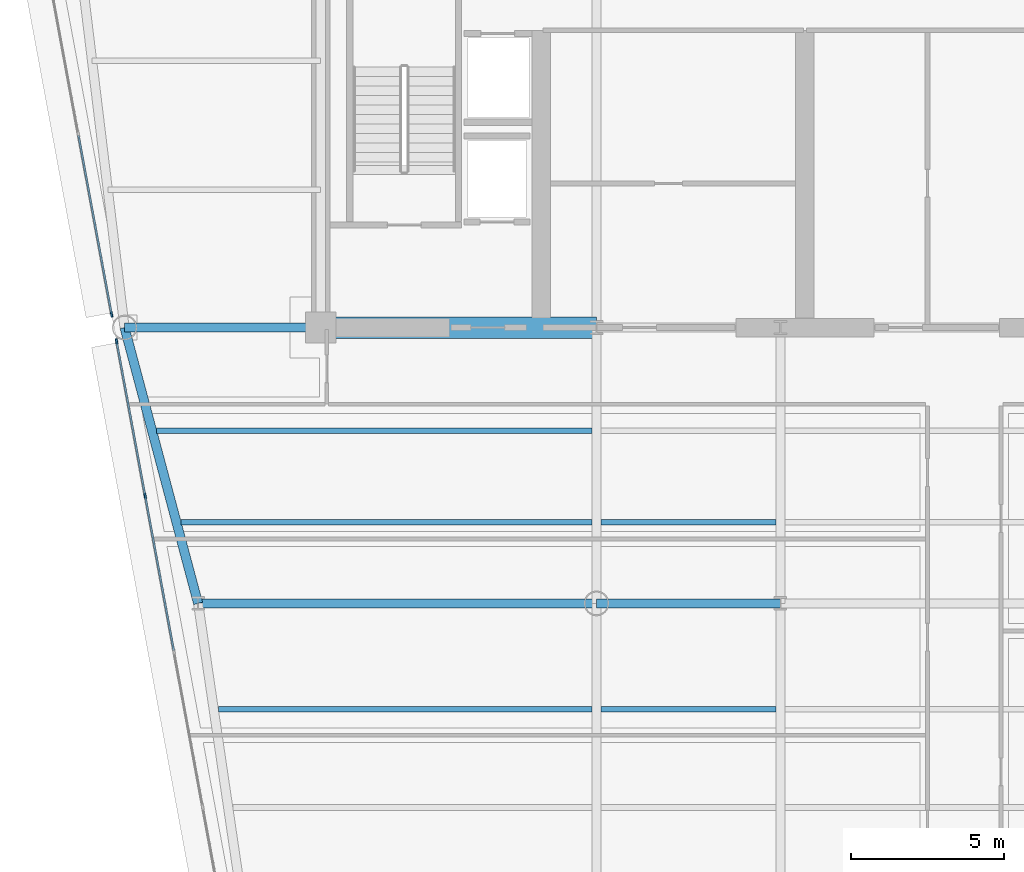
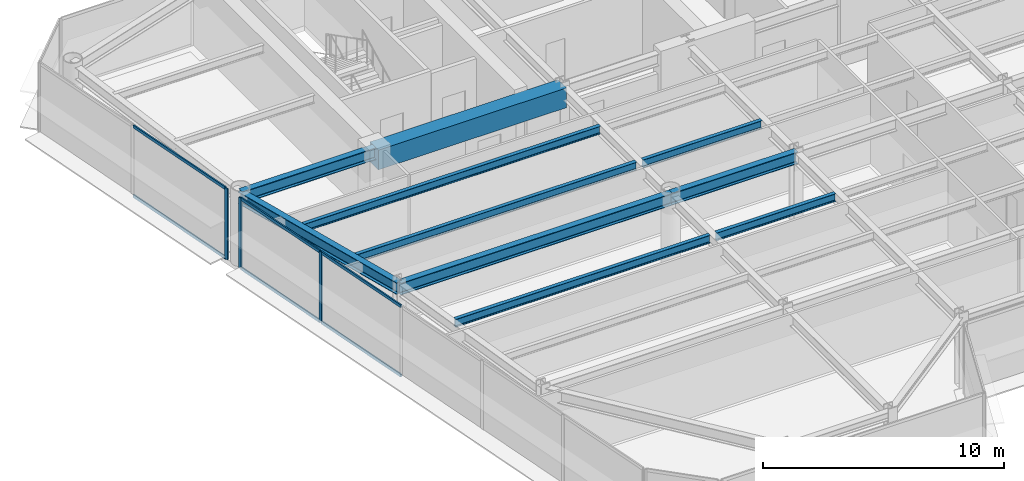
# One storey, part 4 of 16: 10 beams, 9 members, 2 elements without a shape of their own.
"""IFC4 building model written with IfcOpenShell, lengths in metres."""

from ifc_helpers import new_model, si_unit, direction, frame, origin, origin_2d, place, context, subcontext, project, spatial, rectangle, i_section, extrude, source, transform, mapped, material, layer, layer_set, material_profile, profile_set, type_object, element, aggregate, save


model = new_model("IFC4")

# Units and contexts
model_context = context("Model", 3, precision=1e-05, world=origin(), true_north=direction((0.0, 1.0)))
body_context = subcontext(model_context, "Body", "Model", "MODEL_VIEW")
ifc_project = project(units=[si_unit("LENGTHUNIT", "METRE"), si_unit("AREAUNIT", "SQUARE_METRE"), si_unit("VOLUMEUNIT", "CUBIC_METRE"), si_unit("PLANEANGLEUNIT", "RADIAN"), si_unit("MASSUNIT", "GRAM", prefix="KILO")], contexts=[model_context])

# Site, building, storey
site_placement = place(None, origin())
site = spatial("IfcSite", under=ifc_project, at=site_placement, CompositionType="ELEMENT")
building_placement = place(site_placement, origin())
building = spatial("IfcBuilding", under=site, at=building_placement, Name="Vaeldorn Concourse Tower", CompositionType="ELEMENT")
storey_placement = place(building_placement, frame((0.0, 0.0, 223.199951171875)))
storey = spatial("IfcBuildingStorey", under=building, at=storey_placement, Name="L57", CompositionType="ELEMENT", Elevation=223.199951171875)

# Beams
ifc_material_1 = material(Name="Concrete C50/60", Category="concrete")
ifc_material_profile_1 = material_profile(ifc_material_1, rectangle(XDim=0.699951171875, YDim=1.0, at=origin_2d()), Name="RC 700x1000")
ifc_profile_set_1 = profile_set([ifc_material_profile_1], Name="Concrete C50/60")
beam_type_1 = type_object("IfcBeamType", Name="BM-CB-RC700", PredefinedType="BEAM", material=ifc_profile_set_1)
shared_shape_1 = source(origin(), body_context, "Body", "SweptSolid", [
    extrude(rectangle(XDim=0.699951171875, YDim=1.0, at=origin_2d()), origin(), (0.0, 0.0, 1.0), 9.0),
])
beam_1_placement = place(storey_placement, frame((14.0, 36.5, 3.080078125), z_axis=(1.0, 0.0, 0.0), x_axis=(0.0, 1.0, 0.0)))
element("IfcBeam", 1, at=beam_1_placement, inside=storey, type_object=beam_type_1, Name="Core Coupling Beam L57-1", PredefinedType="BEAM", context=body_context, shape_type="MappedRepresentation", body=[
    mapped(shared_shape_1, transform((0.0, 0.0, 0.0), scale=1.0)),
])
ifc_material_2 = material(Name="Steel S355", Category="steel")
ifc_material_profile_2 = material_profile(ifc_material_2, i_section(OverallWidth=0.300048828125, OverallDepth=0.60009765625, WebThickness=0.015380859375, FlangeThickness=0.030029296875, FilletRadius=0.027099609375, at=origin_2d()), Name="HEB 600")
ifc_profile_set_2 = profile_set([ifc_material_profile_2], Name="Steel S355")
beam_type_2 = type_object("IfcBeamType", Name="BM-PG-HEB600", PredefinedType="BEAM", material=ifc_profile_set_2)
shared_shape_2 = source(origin(), body_context, "Body", "SweptSolid", [
    extrude(i_section(OverallWidth=0.300048828125, OverallDepth=0.60009765625, WebThickness=0.015380859375, FlangeThickness=0.030029296875, FilletRadius=0.027099609375, at=origin_2d()), origin(), (0.0, 0.0, 1.0), 6.0),
])
beam_2_placement = place(storey_placement, frame((23.0, 27.5, 3.280029296875), z_axis=(1.0, 0.0, 0.0), x_axis=(0.0, 1.0, 0.0)))
element("IfcBeam", 2, at=beam_2_placement, inside=storey, type_object=beam_type_2, Name="Beam BM-L57-C-TW1-C-TW2", PredefinedType="BEAM", context=body_context, shape_type="MappedRepresentation", body=[
    mapped(shared_shape_2, transform((0.0, 0.0, 0.0), scale=1.0)),
])
shared_shape_3 = source(origin(), body_context, "Body", "SweptSolid", [
    extrude(i_section(OverallWidth=0.300048828125, OverallDepth=0.60009765625, WebThickness=0.015380859375, FlangeThickness=0.030029296875, FilletRadius=0.027099609375, at=origin_2d()), origin(), (0.0, 0.0, 1.0), 6.39990234375),
])
beam_3_placement = place(storey_placement, frame((7.60009765625, 36.5, 3.280029296875), z_axis=(1.0, 0.0, 0.0), x_axis=(0.0, 1.0, 0.0)))
element("IfcBeam", 3, at=beam_3_placement, inside=storey, type_object=beam_type_2, Name="Beam BM-L57-C-NW2-C-FC1", PredefinedType="BEAM", context=body_context, shape_type="MappedRepresentation", body=[
    mapped(shared_shape_3, transform((0.0, 0.0, 0.0), scale=1.0)),
])
shared_shape_4 = source(origin(), body_context, "Body", "SweptSolid", [
    extrude(i_section(OverallWidth=0.300048828125, OverallDepth=0.60009765625, WebThickness=0.015380859375, FlangeThickness=0.030029296875, FilletRadius=0.027099609375, at=origin_2d()), origin(), (0.0, 0.0, 1.0), 9.314453125),
])
beam_4_placement = place(storey_placement, frame((7.60009765625, 36.5, 3.280029296875), z_axis=(0.257652862255, -0.966237549763, 0.0), x_axis=(0.966237549763, 0.257652862255, 0.0)))
element("IfcBeam", 4, at=beam_4_placement, inside=storey, type_object=beam_type_2, Name="Beam BM-L57-C-NW2-C-FLW1", PredefinedType="BEAM", context=body_context, shape_type="MappedRepresentation", body=[
    mapped(shared_shape_4, transform((0.0, 0.0, 0.0), scale=1.0)),
])
shared_shape_5 = source(origin(), body_context, "Body", "SweptSolid", [
    extrude(i_section(OverallWidth=0.300048828125, OverallDepth=0.60009765625, WebThickness=0.015380859375, FlangeThickness=0.030029296875, FilletRadius=0.027099609375, at=origin_2d()), origin(), (0.0, 0.0, 1.0), 13.0),
])
beam_5_placement = place(storey_placement, frame((10.0, 27.5, 3.280029296875), z_axis=(1.0, 0.0, 0.0), x_axis=(0.0, 1.0, 0.0)))
element("IfcBeam", 5, at=beam_5_placement, inside=storey, type_object=beam_type_2, Name="Beam BM-L57-C-FLW1-C-TW1", PredefinedType="BEAM", context=body_context, shape_type="MappedRepresentation", body=[
    mapped(shared_shape_5, transform((0.0, 0.0, 0.0), scale=1.0)),
])
ifc_material_profile_3 = material_profile(ifc_material_2, i_section(OverallWidth=0.179931640625, OverallDepth=0.39990234375, WebThickness=0.008544921875, FlangeThickness=0.013427734375, FilletRadius=0.02099609375, at=origin_2d()), Name="IPE 400")
ifc_profile_set_3 = profile_set([ifc_material_profile_3], Name="Steel S355")
beam_type_3 = type_object("IfcBeamType", Name="BM-JS-IPE400", PredefinedType="JOIST", material=ifc_profile_set_3)
shared_shape_6 = source(origin(), body_context, "Body", "SweptSolid", [
    extrude(i_section(OverallWidth=0.179931640625, OverallDepth=0.39990234375, WebThickness=0.008544921875, FlangeThickness=0.013427734375, FilletRadius=0.02099609375, at=origin_2d()), origin(), (0.0, 0.0, 1.0), 5.7001953125),
])
for number, where, z_axis, x_axis, name in (
    (6, (23.14990234375, 24.0400390625, 3.380126953125), (1.0, 0.0, 0.0), (0.0, 1.0, 0.0), "Beam JS-L57-W2-240"),
    (7, (23.14990234375, 30.139892578125, 3.380126953125), (1.0, 0.0, 0.0), (0.0, 1.0, 0.0), "Beam JS-L57-W2-301"),
):
    element("IfcBeam", number, at=place(storey_placement, frame(where, z_axis=z_axis, x_axis=x_axis)), inside=storey, type_object=beam_type_3, Name=name, PredefinedType="JOIST", context=body_context, shape_type="MappedRepresentation", body=[
        mapped(shared_shape_6, transform((0.0, 0.0, 0.0), scale=1.0)),
    ])
shared_shape_7 = source(origin(), body_context, "Body", "SweptSolid", [
    extrude(i_section(OverallWidth=0.179931640625, OverallDepth=0.39990234375, WebThickness=0.008544921875, FlangeThickness=0.013427734375, FilletRadius=0.02099609375, at=origin_2d()), origin(), (0.0, 0.0, 1.0), 12.190185546875),
])
beam_6_placement = place(storey_placement, frame((10.659912109375, 24.0400390625, 3.380126953125), z_axis=(1.0, 0.0, 0.0), x_axis=(0.0, 1.0, 0.0)))
element("IfcBeam", 8, at=beam_6_placement, inside=storey, type_object=beam_type_3, Name="Beam JS-L57-W1-240", PredefinedType="JOIST", context=body_context, shape_type="MappedRepresentation", body=[
    mapped(shared_shape_7, transform((0.0, 0.0, 0.0), scale=1.0)),
])
shared_shape_8 = source(origin(), body_context, "Body", "SweptSolid", [
    extrude(i_section(OverallWidth=0.179931640625, OverallDepth=0.39990234375, WebThickness=0.008544921875, FlangeThickness=0.013427734375, FilletRadius=0.02099609375, at=origin_2d()), origin(), (0.0, 0.0, 1.0), 13.404052734375),
])
beam_7_placement = place(storey_placement, frame((9.446044921875, 30.139892578125, 3.380126953125), z_axis=(1.0, 0.0, 0.0), x_axis=(0.0, 1.0, 0.0)))
element("IfcBeam", 9, at=beam_7_placement, inside=storey, type_object=beam_type_3, Name="Beam JS-L57-W1-301", PredefinedType="JOIST", context=body_context, shape_type="MappedRepresentation", body=[
    mapped(shared_shape_8, transform((0.0, 0.0, 0.0), scale=1.0)),
])
shared_shape_9 = source(origin(), body_context, "Body", "SweptSolid", [
    extrude(i_section(OverallWidth=0.179931640625, OverallDepth=0.39990234375, WebThickness=0.008544921875, FlangeThickness=0.013427734375, FilletRadius=0.02099609375, at=origin_2d()), origin(), (0.0, 0.0, 1.0), 14.2041015625),
])
beam_8_placement = place(storey_placement, frame((8.64599609375, 33.139892578125, 3.380126953125), z_axis=(1.0, 0.0, 0.0), x_axis=(0.0, 1.0, 0.0)))
element("IfcBeam", 10, at=beam_8_placement, inside=storey, type_object=beam_type_3, Name="Beam JS-L57-W1-331", PredefinedType="JOIST", context=body_context, shape_type="MappedRepresentation", body=[
    mapped(shared_shape_9, transform((0.0, 0.0, 0.0), scale=1.0)),
])

# Curtain wall, member
ifc_material_3 = material(Name="Anodised Bronze Aluminium", Category="aluminium")
ifc_layer = layer(ifc_material_3, 0.179931640625)
ifc_layer_set = layer_set([ifc_layer], Name="Anodised Bronze Aluminium")
curtain_wall_type = type_object("IfcCurtainWallType", Name="CW-SYS-05", PredefinedType="NOTDEFINED", material=ifc_layer_set)
curtain_wall_1_placement = place(storey_placement, origin())
curtain_wall_1 = element("IfcCurtainWall", 11, at=curtain_wall_1_placement, inside=storey, type_object=curtain_wall_type, Name="Unitised Curtain Wall CW-L57-E11-1", PredefinedType="NOTDEFINED")
ifc_material_profile_4 = material_profile(ifc_material_3, rectangle(XDim=0.06494140625, YDim=0.169921875, at=origin_2d()), Name="CWM 65x170")
ifc_profile_set_4 = profile_set([ifc_material_profile_4], Name="Anodised Bronze Aluminium")
member_type_1 = type_object("IfcMemberType", Name="CWM-BRONZE-170", PredefinedType="MULLION", material=ifc_profile_set_4)
shared_shape_10 = source(origin(), body_context, "Body", "SweptSolid", [
    extrude(rectangle(XDim=0.06494140625, YDim=0.169921875, at=origin_2d()), origin(), (0.0, 0.0, 1.0), 3.580078125),
])
member_1_placement = place(storey_placement, frame((7.177490234375, 36.927490234375, 0.0), z_axis=(0.0, 0.0, 1.0), x_axis=(0.983319270992, 0.181887908602, 0.0)))
member_1 = element("IfcMember", 12, at=member_1_placement, type_object=member_type_1, Name="CW-05 mullion 3", PredefinedType="MULLION", context=body_context, shape_type="MappedRepresentation", body=[
    mapped(shared_shape_10, transform((0.0, 0.0, 0.0), scale=1.0)),
])

# Curtain wall, members
curtain_wall_2_placement = place(storey_placement, origin())
curtain_wall_2 = element("IfcCurtainWall", 13, at=curtain_wall_2_placement, inside=storey, type_object=curtain_wall_type, Name="Unitised Curtain Wall CW-L57-E11-2", PredefinedType="NOTDEFINED")
member_2_placement = place(storey_placement, frame((7.339599609375, 36.051513671875, 0.0), z_axis=(0.0, 0.0, 1.0), x_axis=(0.983319079021, 0.181888946432, 0.0)))
member_2 = element("IfcMember", 14, at=member_2_placement, type_object=member_type_1, Name="CW-05 mullion 1", PredefinedType="MULLION", context=body_context, shape_type="MappedRepresentation", body=[
    mapped(shared_shape_10, transform((0.0, 0.0, 0.0), scale=1.0)),
])
member_3_placement = place(storey_placement, frame((8.272705078125, 31.0068359375, 0.0), z_axis=(0.0, 0.0, 1.0), x_axis=(0.983319079021, 0.181888946432, 0.0)))
member_3 = element("IfcMember", 15, at=member_3_placement, type_object=member_type_1, Name="CW-05 mullion 2", PredefinedType="MULLION", context=body_context, shape_type="MappedRepresentation", body=[
    mapped(shared_shape_10, transform((0.0, 0.0, 0.0), scale=1.0)),
])
ifc_material_profile_5 = material_profile(ifc_material_3, rectangle(XDim=0.06494140625, YDim=0.14990234375, at=origin_2d()), Name="CWT 65x150")
ifc_profile_set_5 = profile_set([ifc_material_profile_5], Name="Anodised Bronze Aluminium")
member_type_2 = type_object("IfcMemberType", Name="CWT-BRONZE-150", PredefinedType="USERDEFINED", material=ifc_profile_set_5)
shared_shape_11 = source(origin(), body_context, "Body", "SweptSolid", [
    extrude(rectangle(XDim=0.06494140625, YDim=0.14990234375, at=origin_2d()), origin(), (0.0, 0.0, 1.0), 5.065185546875),
])
member_4_placement = place(storey_placement, frame((7.345458984375, 36.01953125, 0.032470703125), z_axis=(0.181904577794, -0.983316187489, 0.0), x_axis=(0.983316187489, 0.181904577794, 0.0)))
member_4 = element("IfcMember", 16, at=member_4_placement, type_object=member_type_2, Name="CW-05 transom 1.1", ObjectType="TRANSOM", PredefinedType="USERDEFINED", context=body_context, shape_type="MappedRepresentation", body=[
    mapped(shared_shape_11, transform((0.0, 0.0, 0.0), scale=1.0)),
])
member_5_placement = place(storey_placement, frame((7.345458984375, 36.01953125, 3.547607421875), z_axis=(0.181904577794, -0.983316187489, 0.0), x_axis=(0.983316187489, 0.181904577794, 0.0)))
member_5 = element("IfcMember", 17, at=member_5_placement, type_object=member_type_2, Name="CW-05 transom 1.2", ObjectType="TRANSOM", PredefinedType="USERDEFINED", context=body_context, shape_type="MappedRepresentation", body=[
    mapped(shared_shape_11, transform((0.0, 0.0, 0.0), scale=1.0)),
])
shared_shape_12 = source(origin(), body_context, "Body", "SweptSolid", [
    extrude(rectangle(XDim=0.06494140625, YDim=0.14990234375, at=origin_2d()), origin(), (0.0, 0.0, 1.0), 5.09765625),
])
member_6_placement = place(storey_placement, frame((8.278564453125, 30.974853515625, 0.032470703125), z_axis=(0.181893750584, -0.983318190363, 0.0), x_axis=(0.983318190363, 0.181893750584, 0.0)))
member_6 = element("IfcMember", 18, at=member_6_placement, type_object=member_type_2, Name="CW-05 transom 2.1", ObjectType="TRANSOM", PredefinedType="USERDEFINED", context=body_context, shape_type="MappedRepresentation", body=[
    mapped(shared_shape_12, transform((0.0, 0.0, 0.0), scale=1.0)),
])
member_7_placement = place(storey_placement, frame((8.278564453125, 30.974853515625, 3.547607421875), z_axis=(0.181893750584, -0.983318190363, 0.0), x_axis=(0.983318190363, 0.181893750584, 0.0)))
member_7 = element("IfcMember", 19, at=member_7_placement, type_object=member_type_2, Name="CW-05 transom 2.2", ObjectType="TRANSOM", PredefinedType="USERDEFINED", context=body_context, shape_type="MappedRepresentation", body=[
    mapped(shared_shape_12, transform((0.0, 0.0, 0.0), scale=1.0)),
])
aggregate(curtain_wall_2, [member_2, member_3, member_4, member_5, member_6, member_7])

# Member
shared_shape_13 = source(origin(), body_context, "Body", "SweptSolid", [
    extrude(rectangle(XDim=0.06494140625, YDim=0.14990234375, at=origin_2d()), origin(), (0.0, 0.0, 1.0), 5.90478515625),
])
member_8_placement = place(storey_placement, frame((6.09765625, 42.765869140625, 0.032470703125), z_axis=(0.181879018898, -0.983320915309, 0.0), x_axis=(0.983320915309, 0.181879018898, 0.0)))
member_8 = element("IfcMember", 20, at=member_8_placement, type_object=member_type_2, Name="CW-05 transom 2.1", ObjectType="TRANSOM", PredefinedType="USERDEFINED", context=body_context, shape_type="MappedRepresentation", body=[
    mapped(shared_shape_13, transform((0.0, 0.0, 0.0), scale=1.0)),
])

member_9_placement = place(storey_placement, frame((6.09765625, 42.765869140625, 3.547607421875), z_axis=(0.181879018898, -0.983320915309, 0.0), x_axis=(0.983320915309, 0.181879018898, 0.0)))
member_9 = element("IfcMember", 21, at=member_9_placement, type_object=member_type_2, Name="CW-05 transom 2.2", ObjectType="TRANSOM", PredefinedType="USERDEFINED", context=body_context, shape_type="MappedRepresentation", body=[
    mapped(shared_shape_13, transform((0.0, 0.0, 0.0), scale=1.0)),
])

aggregate(curtain_wall_1, [member_1, member_8, member_9])

save(model, "model.ifc")
